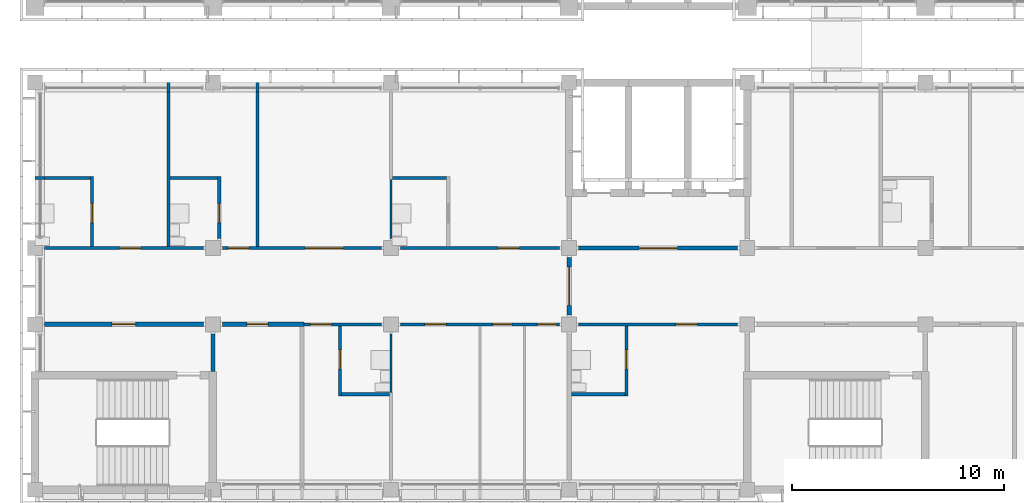
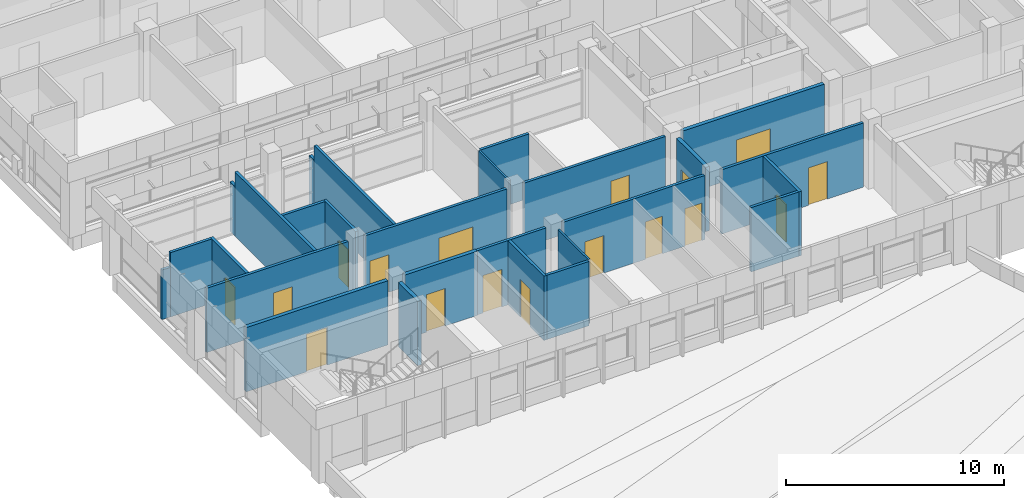
# One storey, part 30 of 74: 27 walls, 17 doors, 17 openings.
"""IFC4 building model written with IfcOpenShell, lengths in metres."""

from ifc_helpers import new_model, si_unit, direction, frame, frame_2d, origin, place, context, subcontext, project, spatial, rectangle, extrude, material, layer, layer_set, type_object, element, fill, save


model = new_model("IFC4")

# Units and contexts
model_context = context("Model", 3, precision=1e-05, world=origin(), true_north=direction((0.0, 1.0)))
body_context = subcontext(model_context, "Body", "Model", "MODEL_VIEW")
ifc_project = project(units=[si_unit("LENGTHUNIT", "METRE"), si_unit("AREAUNIT", "SQUARE_METRE"), si_unit("VOLUMEUNIT", "CUBIC_METRE"), si_unit("PLANEANGLEUNIT", "RADIAN"), si_unit("MASSUNIT", "GRAM", prefix="KILO")], contexts=[model_context])

# Site, building, storey
site_placement = place(None, origin())
site = spatial("IfcSite", under=ifc_project, at=site_placement, CompositionType="ELEMENT")
building_placement = place(site_placement, origin())
building = spatial("IfcBuilding", under=site, at=building_placement, Name="Bougainvillea Quay General Hospital", CompositionType="ELEMENT")
storey_placement = place(building_placement, frame((0.0, 0.0, 21.0)))
storey = spatial("IfcBuildingStorey", under=building, at=storey_placement, Name="L04", CompositionType="ELEMENT", Elevation=21.0)

# Walls
ifc_material_1 = material(Name="Gypsum board partition on steel studs", Category="steel")
ifc_layer_1 = layer(ifc_material_1, 0.10009765625)
ifc_layer_set_1 = layer_set([ifc_layer_1], Name="Gypsum board partition on steel studs")
wall_type_1 = type_object("IfcWallType", Name="Partition 100 Gypsum board partition", PredefinedType="PARTITIONING", material=ifc_layer_set_1)
wall_1_placement = place(storey_placement, frame((58.800048828125, 122.175048828125, 0.0), z_axis=(0.0, 0.0, 1.0), x_axis=(0.0, 1.0, 0.0)))
element("IfcWall", 1, at=wall_1_placement, inside=storey, type_object=wall_type_1, Name="Partition 100 mm", PredefinedType="PARTITIONING", context=body_context, shape_type="SweptSolid", body=[
    extrude(rectangle(XDim=2.77490234375, YDim=0.10009765625, at=frame_2d((1.387451171875, 0.0))), origin(), (0.0, 0.0, 1.0), 3.60009765625),
])
wall_2_placement = place(storey_placement, frame((58.800048828125, 129.449951171875, 0.0), z_axis=(0.0, 0.0, 1.0), x_axis=(0.0, 1.0, 0.0)))
element("IfcWall", 2, at=wall_2_placement, inside=storey, type_object=wall_type_1, Name="Partition 100 mm", PredefinedType="PARTITIONING", context=body_context, shape_type="SweptSolid", body=[
    extrude(rectangle(XDim=2.775146484375, YDim=0.10009765625, at=frame_2d((1.3876953125, 0.0))), origin(), (0.0, 0.0, 1.0), 3.60009765625),
])
ifc_material_2 = material(Name="Gypsum board partition on steel studs, insulated", Category="steel")
ifc_layer_2 = layer(ifc_material_2, 0.14990234375)
ifc_layer_set_2 = layer_set([ifc_layer_2], Name="Gypsum board partition on steel studs, insulated")
wall_type_2 = type_object("IfcWallType", Name="Partition 150 Gypsum board partition", PredefinedType="PARTITIONING", material=ifc_layer_set_2)
wall_3_placement = place(storey_placement, frame((48.300048828125, 129.074951171875, 0.0), z_axis=(0.0, 0.0, 1.0), x_axis=(0.0, 1.0, 0.0)))
element("IfcWall", 3, at=wall_3_placement, inside=storey, type_object=wall_type_2, Name="Partition 150 mm", PredefinedType="PARTITIONING", context=body_context, shape_type="SweptSolid", body=[
    extrude(rectangle(XDim=7.275146484375, YDim=0.14990234375, at=frame_2d((3.6376953125, 0.0))), origin(), (0.0, 0.0, 1.0), 3.60009765625),
])
wall_4_placement = place(storey_placement, frame((48.300048828125, 136.35009765625, 0.0), z_axis=(0.0, 0.0, 1.0), x_axis=(0.0, 1.0, 0.0)))
element("IfcWall", 4, at=wall_4_placement, inside=storey, type_object=wall_type_2, Name="Partition 150 mm", PredefinedType="PARTITIONING", context=body_context, shape_type="SweptSolid", body=[
    extrude(rectangle(XDim=0.449951171875, YDim=0.14990234375, at=frame_2d((0.22509765625, 0.0))), origin(), (0.0, 0.0, 1.0), 2.780029296875),
])
wall_5_placement = place(storey_placement, frame((52.5, 129.074951171875, 0.0), z_axis=(0.0, 0.0, 1.0), x_axis=(0.0, 1.0, 0.0)))
element("IfcWall", 5, at=wall_5_placement, inside=storey, type_object=wall_type_2, Name="Partition 150 mm", PredefinedType="PARTITIONING", context=body_context, shape_type="SweptSolid", body=[
    extrude(rectangle(XDim=7.275146484375, YDim=0.14990234375, at=frame_2d((3.6376953125, 0.0))), origin(), (0.0, 0.0, 1.0), 3.60009765625),
])
wall_6_placement = place(storey_placement, frame((52.5, 136.35009765625, 0.0), z_axis=(0.0, 0.0, 1.0), x_axis=(0.0, 1.0, 0.0)))
element("IfcWall", 6, at=wall_6_placement, inside=storey, type_object=wall_type_2, Name="Partition 150 mm", PredefinedType="PARTITIONING", context=body_context, shape_type="SweptSolid", body=[
    extrude(rectangle(XDim=0.449951171875, YDim=0.14990234375, at=frame_2d((0.22509765625, 0.0))), origin(), (0.0, 0.0, 1.0), 2.780029296875),
])

# Wall, opening, door
wall_7_placement = place(storey_placement, frame((44.699951171875, 129.074951171875, 0.0), z_axis=(0.0, 0.0, 1.0), x_axis=(0.0, 1.0, 0.0)))
wall_7 = element("IfcWall", 7, at=wall_7_placement, inside=storey, type_object=wall_type_2, Name="Partition 150 mm", PredefinedType="PARTITIONING", context=body_context, shape_type="SweptSolid", body=[
    extrude(rectangle(XDim=3.300048828125, YDim=0.14990234375, at=frame_2d((1.64990234375, 0.0))), origin(), (0.0, 0.0, 1.0), 3.60009765625),
])
opening_1_placement = place(wall_7_placement, frame((1.125, 0.0, 0.0)))
opening_1 = element("IfcOpeningElement", 8, at=opening_1_placement, cuts=wall_7, Name="Opening L04.079", PredefinedType="OPENING", context=body_context, shape_type="SweptSolid", body=[
    extrude(rectangle(XDim=0.89990234375, YDim=2.10009765625, at=frame_2d((0.449951171875, 1.050048828125))), frame((0.0, 0.0849609375, 0.0), z_axis=(0.0, -1.0, 0.0), x_axis=(1.0, 0.0, 0.0)), (0.0, 0.0, 1.0), 0.169921875),
])
ifc_material_3 = material(Name="Solid-core timber door leaf in steel frame", Category="steel")
door_type_1 = type_object("IfcDoorType", Name="Single leaf door 900x2100", OperationType="NOTDEFINED", PredefinedType="DOOR", material=ifc_material_3)
door_1_placement = place(opening_1_placement, origin())
door_1 = element("IfcDoor", 9, at=door_1_placement, inside=storey, type_object=door_type_1, Name="DT07 L04.079", OperationType="SINGLE_SWING_LEFT", OverallHeight=2.10009765625, OverallWidth=0.89990234375, PredefinedType="DOOR", context=body_context, shape_type="SweptSolid", body=[
    extrude(rectangle(XDim=0.89990234375, YDim=2.10009765625, at=frame_2d((0.449951171875, 1.050048828125))), frame((0.0, 0.02490234375, 0.0), z_axis=(0.0, -1.0, 0.0), x_axis=(1.0, 0.0, 0.0)), (0.0, 0.0, 1.0), 0.050048828125),
])
fill(opening_1, door_1)

wall_8_placement = place(storey_placement, frame((50.699951171875, 129.449951171875, 0.0), z_axis=(0.0, 0.0, 1.0), x_axis=(0.0, 1.0, 0.0)))
wall_8 = element("IfcWall", 10, at=wall_8_placement, inside=storey, type_object=wall_type_2, Name="Partition 150 mm", PredefinedType="PARTITIONING", context=body_context, shape_type="SweptSolid", body=[
    extrude(rectangle(XDim=2.925048828125, YDim=0.14990234375, at=frame_2d((1.46240234375, 0.0))), origin(), (0.0, 0.0, 1.0), 3.60009765625),
])
opening_2_placement = place(wall_8_placement, frame((0.75, 0.0, 0.0)))
opening_2 = element("IfcOpeningElement", 11, at=opening_2_placement, cuts=wall_8, Name="Opening L04.081", PredefinedType="OPENING", context=body_context, shape_type="SweptSolid", body=[
    extrude(rectangle(XDim=0.89990234375, YDim=2.10009765625, at=frame_2d((0.449951171875, 1.050048828125))), frame((0.0, 0.0849609375, 0.0), z_axis=(0.0, -1.0, 0.0), x_axis=(1.0, 0.0, 0.0)), (0.0, 0.0, 1.0), 0.169921875),
])
door_2_placement = place(opening_2_placement, origin())
door_2 = element("IfcDoor", 12, at=door_2_placement, inside=storey, type_object=door_type_1, Name="DT07 L04.081", OperationType="SINGLE_SWING_LEFT", OverallHeight=2.10009765625, OverallWidth=0.89990234375, PredefinedType="DOOR", context=body_context, shape_type="SweptSolid", body=[
    extrude(rectangle(XDim=0.89990234375, YDim=2.10009765625, at=frame_2d((0.449951171875, 1.050048828125))), frame((0.0, 0.02490234375, 0.0), z_axis=(0.0, -1.0, 0.0), x_axis=(1.0, 0.0, 0.0)), (0.0, 0.0, 1.0), 0.050048828125),
])
fill(opening_2, door_2)

wall_9_placement = place(storey_placement, frame((56.39990234375, 122.02490234375, 0.0), z_axis=(0.0, 0.0, 1.0), x_axis=(0.0, 1.0, 0.0)))
wall_9 = element("IfcWall", 13, at=wall_9_placement, inside=storey, type_object=wall_type_2, Name="Partition 150 mm", PredefinedType="PARTITIONING", context=body_context, shape_type="SweptSolid", body=[
    extrude(rectangle(XDim=3.300048828125, YDim=0.14990234375, at=frame_2d((1.64990234375, 0.0))), origin(), (0.0, 0.0, 1.0), 3.60009765625),
])
opening_3_placement = place(wall_9_placement, frame((1.27490234375, 0.0, 0.0)))
opening_3 = element("IfcOpeningElement", 14, at=opening_3_placement, cuts=wall_9, Name="Opening L04.086", PredefinedType="OPENING", context=body_context, shape_type="SweptSolid", body=[
    extrude(rectangle(XDim=0.89990234375, YDim=2.10009765625, at=frame_2d((0.449951171875, 1.050048828125))), frame((0.0, 0.0849609375, 0.0), z_axis=(0.0, -1.0, 0.0), x_axis=(1.0, 0.0, 0.0)), (0.0, 0.0, 1.0), 0.169921875),
])
door_3_placement = place(opening_3_placement, frame((0.89990234375, 0.0, 0.0), z_axis=(0.0, 0.0, 1.0), x_axis=(-1.0, 0.0, 0.0)))
door_3 = element("IfcDoor", 15, at=door_3_placement, inside=storey, type_object=door_type_1, Name="DT07 L04.086", OperationType="SINGLE_SWING_LEFT", OverallHeight=2.10009765625, OverallWidth=0.89990234375, PredefinedType="DOOR", context=body_context, shape_type="SweptSolid", body=[
    extrude(rectangle(XDim=0.89990234375, YDim=2.10009765625, at=frame_2d((0.449951171875, 1.050048828125))), frame((0.0, 0.02490234375, 0.0), z_axis=(0.0, -1.0, 0.0), x_axis=(1.0, 0.0, 0.0)), (0.0, 0.0, 1.0), 0.050048828125),
])
fill(opening_3, door_3)

wall_10_placement = place(storey_placement, frame((69.89990234375, 122.02490234375, 0.0), z_axis=(0.0, 0.0, 1.0), x_axis=(0.0, 1.0, 0.0)))
wall_10 = element("IfcWall", 16, at=wall_10_placement, inside=storey, type_object=wall_type_2, Name="Partition 150 mm", PredefinedType="PARTITIONING", context=body_context, shape_type="SweptSolid", body=[
    extrude(rectangle(XDim=3.300048828125, YDim=0.14990234375, at=frame_2d((1.64990234375, 0.0))), origin(), (0.0, 0.0, 1.0), 3.60009765625),
])
opening_4_placement = place(wall_10_placement, frame((1.27490234375, 0.0, 0.0)))
opening_4 = element("IfcOpeningElement", 17, at=opening_4_placement, cuts=wall_10, Name="Opening L04.091", PredefinedType="OPENING", context=body_context, shape_type="SweptSolid", body=[
    extrude(rectangle(XDim=0.89990234375, YDim=2.10009765625, at=frame_2d((0.449951171875, 1.050048828125))), frame((0.0, 0.0849609375, 0.0), z_axis=(0.0, -1.0, 0.0), x_axis=(1.0, 0.0, 0.0)), (0.0, 0.0, 1.0), 0.169921875),
])
door_4_placement = place(opening_4_placement, origin())
door_4 = element("IfcDoor", 18, at=door_4_placement, inside=storey, type_object=door_type_1, Name="DT07 L04.091", OperationType="SINGLE_SWING_RIGHT", OverallHeight=2.10009765625, OverallWidth=0.89990234375, PredefinedType="DOOR", context=body_context, shape_type="SweptSolid", body=[
    extrude(rectangle(XDim=0.89990234375, YDim=2.10009765625, at=frame_2d((0.449951171875, 1.050048828125))), frame((0.0, 0.02490234375, 0.0), z_axis=(0.0, -1.0, 0.0), x_axis=(1.0, 0.0, 0.0)), (0.0, 0.0, 1.0), 0.050048828125),
])
fill(opening_4, door_4)

# Walls
wall_11_placement = place(storey_placement, frame((42.0, 132.300048828125, 0.0), z_axis=(0.0, 0.0, 1.0), x_axis=(1.0, 0.0, 0.0)))
element("IfcWall", 19, at=wall_11_placement, inside=storey, type_object=wall_type_2, Name="Partition 150 mm", PredefinedType="PARTITIONING", context=body_context, shape_type="SweptSolid", body=[
    extrude(rectangle(XDim=0.449951171875, YDim=0.14990234375, at=frame_2d((0.22509765625, 0.0))), origin(), (0.0, 0.0, 1.0), 2.780029296875),
])
wall_12_placement = place(storey_placement, frame((42.449951171875, 132.300048828125, 0.0), z_axis=(0.0, 0.0, 1.0), x_axis=(1.0, 0.0, 0.0)))
element("IfcWall", 20, at=wall_12_placement, inside=storey, type_object=wall_type_2, Name="Partition 150 mm", PredefinedType="PARTITIONING", context=body_context, shape_type="SweptSolid", body=[
    extrude(rectangle(XDim=2.175048828125, YDim=0.14990234375, at=frame_2d((1.08740234375, 0.0))), origin(), (0.0, 0.0, 1.0), 3.60009765625),
])
wall_13_placement = place(storey_placement, frame((58.875, 132.300048828125, 0.0), z_axis=(0.0, 0.0, 1.0), x_axis=(1.0, 0.0, 0.0)))
element("IfcWall", 21, at=wall_13_placement, inside=storey, type_object=wall_type_2, Name="Partition 150 mm", PredefinedType="PARTITIONING", context=body_context, shape_type="SweptSolid", body=[
    extrude(rectangle(XDim=2.550048828125, YDim=0.14990234375, at=frame_2d((1.27490234375, 0.0))), origin(), (0.0, 0.0, 1.0), 3.60009765625),
])
wall_14_placement = place(storey_placement, frame((67.300048828125, 122.10009765625, 0.0), z_axis=(0.0, 0.0, 1.0), x_axis=(1.0, 0.0, 0.0)))
element("IfcWall", 22, at=wall_14_placement, inside=storey, type_object=wall_type_2, Name="Partition 150 mm", PredefinedType="PARTITIONING", context=body_context, shape_type="SweptSolid", body=[
    extrude(rectangle(XDim=2.52490234375, YDim=0.14990234375, at=frame_2d((1.262451171875, 0.0))), origin(), (0.0, 0.0, 1.0), 3.60009765625),
])
for number, where, z_axis, x_axis, name in (
    (23, (48.375, 132.300048828125, 0.0), (0.0, 0.0, 1.0), (1.0, 0.0, 0.0), "Partition 150 mm"),
    (24, (56.47509765625, 122.10009765625, 0.0), (0.0, 0.0, 1.0), (1.0, 0.0, 0.0), "Partition 150 mm"),
):
    element("IfcWall", number, at=place(storey_placement, frame(where, z_axis=z_axis, x_axis=x_axis)), inside=storey, type_object=wall_type_2, Name=name, PredefinedType="PARTITIONING", context=body_context, shape_type="SweptSolid", body=[
        extrude(rectangle(XDim=2.25, YDim=0.14990234375, at=frame_2d((1.125, 0.0))), origin(), (0.0, 0.0, 1.0), 3.60009765625),
    ])

# Wall, opening, door
ifc_layer_3 = layer(ifc_material_2, 0.14990234375)
ifc_layer_set_3 = layer_set([ifc_layer_3], Name="Gypsum board partition on steel studs, insulated")
wall_type_3 = type_object("IfcWallType", Name="Partition 150 Gypsum board partition EI 30", PredefinedType="PARTITIONING", material=ifc_layer_set_3)
wall_15_placement = place(storey_placement, frame((66.75, 129.0, 0.0), z_axis=(0.0, 0.0, 1.0), x_axis=(-1.0, 0.0, 0.0)))
wall_15 = element("IfcWall", 25, at=wall_15_placement, inside=storey, type_object=wall_type_3, Name="Partition 150 mm EI 30", PredefinedType="PARTITIONING", context=body_context, shape_type="SweptSolid", body=[
    extrude(rectangle(XDim=7.5, YDim=0.14990234375, at=frame_2d((3.75, 0.0))), origin(), (0.0, 0.0, 1.0), 3.60009765625),
])
opening_5_placement = place(wall_15_placement, frame((1.89990234375, 0.0, 0.0)))
opening_5 = element("IfcOpeningElement", 26, at=opening_5_placement, cuts=wall_15, Name="Opening L04.083", PredefinedType="OPENING", context=body_context, shape_type="SweptSolid", body=[
    extrude(rectangle(XDim=1.0, YDim=2.10009765625, at=frame_2d((0.5, 1.050048828125))), frame((0.0, 0.0849609375, 0.0), z_axis=(0.0, -1.0, 0.0), x_axis=(1.0, 0.0, 0.0)), (0.0, 0.0, 1.0), 0.169921875),
])
door_type_2 = type_object("IfcDoorType", Name="Single leaf door 1000x2100 FD30S", OperationType="NOTDEFINED", PredefinedType="DOOR", material=ifc_material_3)
door_5_placement = place(opening_5_placement, frame((1.0, 0.0, 0.0), z_axis=(0.0, 0.0, 1.0), x_axis=(-1.0, 0.0, 0.0)))
door_5 = element("IfcDoor", 27, at=door_5_placement, inside=storey, type_object=door_type_2, Name="DT15 L04.083", OperationType="SINGLE_SWING_RIGHT", OverallHeight=2.10009765625, OverallWidth=1.0, PredefinedType="DOOR", context=body_context, shape_type="SweptSolid", body=[
    extrude(rectangle(XDim=1.0, YDim=2.10009765625, at=frame_2d((0.5, 1.050048828125))), frame((0.0, 0.02490234375, 0.0), z_axis=(0.0, -1.0, 0.0), x_axis=(1.0, 0.0, 0.0)), (0.0, 0.0, 1.0), 0.050048828125),
])
fill(opening_5, door_5)

# Wall, openings, doors
wall_16_placement = place(storey_placement, frame((58.35009765625, 129.0, 0.0), z_axis=(0.0, 0.0, 1.0), x_axis=(-1.0, 0.0, 0.0)))
wall_16 = element("IfcWall", 28, at=wall_16_placement, inside=storey, type_object=wall_type_3, Name="Partition 150 mm EI 30", PredefinedType="PARTITIONING", context=body_context, shape_type="SweptSolid", body=[
    extrude(rectangle(XDim=7.5, YDim=0.14990234375, at=frame_2d((3.75, 0.0))), origin(), (0.0, 0.0, 1.0), 3.60009765625),
])
opening_6_placement = place(wall_16_placement, frame((6.25, 0.0, 0.0)))
opening_6 = element("IfcOpeningElement", 29, at=opening_6_placement, cuts=wall_16, Name="Opening L04.080", PredefinedType="OPENING", context=body_context, shape_type="SweptSolid", body=[
    extrude(rectangle(XDim=1.0, YDim=2.10009765625, at=frame_2d((0.5, 1.050048828125))), frame((0.0, 0.0849609375, 0.0), z_axis=(0.0, -1.0, 0.0), x_axis=(1.0, 0.0, 0.0)), (0.0, 0.0, 1.0), 0.169921875),
])
opening_7_placement = place(wall_16_placement, frame((1.800048828125, 0.0, 0.0)))
opening_7 = element("IfcOpeningElement", 30, at=opening_7_placement, cuts=wall_16, Name="Opening L04.082", PredefinedType="OPENING", context=body_context, shape_type="SweptSolid", body=[
    extrude(rectangle(XDim=1.800048828125, YDim=2.10009765625, at=frame_2d((0.89990234375, 1.050048828125))), frame((0.0, 0.0849609375, 0.0), z_axis=(0.0, -1.0, 0.0), x_axis=(1.0, 0.0, 0.0)), (0.0, 0.0, 1.0), 0.169921875),
])
ifc_material_4 = material(Name="Solid-core timber door leaves in steel frame", Category="steel")
door_type_3 = type_object("IfcDoorType", Name="Double leaf door 1800x2100 FD30S", OperationType="DOUBLE_DOOR_SINGLE_SWING", PredefinedType="DOOR", material=ifc_material_4)
door_6_placement = place(opening_7_placement, frame((1.800048828125, 0.0, 0.0), z_axis=(0.0, 0.0, 1.0), x_axis=(-1.0, 0.0, 0.0)))
door_6 = element("IfcDoor", 31, at=door_6_placement, inside=storey, type_object=door_type_3, Name="DT17 L04.082", OperationType="DOUBLE_DOOR_SINGLE_SWING", OverallHeight=2.10009765625, OverallWidth=1.800048828125, PredefinedType="DOOR", context=body_context, shape_type="SweptSolid", body=[
    extrude(rectangle(XDim=1.800048828125, YDim=2.10009765625, at=frame_2d((0.89990234375, 1.050048828125))), frame((0.0, 0.02490234375, 0.0), z_axis=(0.0, -1.0, 0.0), x_axis=(1.0, 0.0, 0.0)), (0.0, 0.0, 1.0), 0.050048828125),
])
fill(opening_7, door_6)
door_7_placement = place(opening_6_placement, frame((1.0, 0.0, 0.0), z_axis=(0.0, 0.0, 1.0), x_axis=(-1.0, 0.0, 0.0)))
door_7 = element("IfcDoor", 32, at=door_7_placement, inside=storey, type_object=door_type_2, Name="DT15 L04.080", OperationType="SINGLE_SWING_LEFT", OverallHeight=2.10009765625, OverallWidth=1.0, PredefinedType="DOOR", context=body_context, shape_type="SweptSolid", body=[
    extrude(rectangle(XDim=1.0, YDim=2.10009765625, at=frame_2d((0.5, 1.050048828125))), frame((0.0, 0.02490234375, 0.0), z_axis=(0.0, -1.0, 0.0), x_axis=(1.0, 0.0, 0.0)), (0.0, 0.0, 1.0), 0.050048828125),
])
fill(opening_6, door_7)

# Wall, opening, door
wall_17_placement = place(storey_placement, frame((49.949951171875, 129.0, 0.0), z_axis=(0.0, 0.0, 1.0), x_axis=(-1.0, 0.0, 0.0)))
wall_17 = element("IfcWall", 33, at=wall_17_placement, inside=storey, type_object=wall_type_3, Name="Partition 150 mm EI 30", PredefinedType="PARTITIONING", context=body_context, shape_type="SweptSolid", body=[
    extrude(rectangle(XDim=7.5, YDim=0.14990234375, at=frame_2d((3.75, 0.0))), origin(), (0.0, 0.0, 1.0), 3.60009765625),
])
opening_8_placement = place(wall_17_placement, frame((2.949951171875, 0.0, 0.0)))
opening_8 = element("IfcOpeningElement", 34, at=opening_8_placement, cuts=wall_17, Name="Opening L04.078", PredefinedType="OPENING", context=body_context, shape_type="SweptSolid", body=[
    extrude(rectangle(XDim=1.0, YDim=2.10009765625, at=frame_2d((0.5, 1.050048828125))), frame((0.0, 0.0849609375, 0.0), z_axis=(0.0, -1.0, 0.0), x_axis=(1.0, 0.0, 0.0)), (0.0, 0.0, 1.0), 0.169921875),
])
door_8_placement = place(opening_8_placement, frame((1.0, 0.0, 0.0), z_axis=(0.0, 0.0, 1.0), x_axis=(-1.0, 0.0, 0.0)))
door_8 = element("IfcDoor", 35, at=door_8_placement, inside=storey, type_object=door_type_2, Name="DT15 L04.078", OperationType="SINGLE_SWING_RIGHT", OverallHeight=2.10009765625, OverallWidth=1.0, PredefinedType="DOOR", context=body_context, shape_type="SweptSolid", body=[
    extrude(rectangle(XDim=1.0, YDim=2.10009765625, at=frame_2d((0.5, 1.050048828125))), frame((0.0, 0.02490234375, 0.0), z_axis=(0.0, -1.0, 0.0), x_axis=(1.0, 0.0, 0.0)), (0.0, 0.0, 1.0), 0.050048828125),
])
fill(opening_8, door_8)

wall_18_placement = place(storey_placement, frame((67.64990234375, 125.39990234375, 0.0), z_axis=(0.0, 0.0, 1.0), x_axis=(1.0, 0.0, 0.0)))
wall_18 = element("IfcWall", 36, at=wall_18_placement, inside=storey, type_object=wall_type_3, Name="Partition 150 mm EI 30", PredefinedType="PARTITIONING", context=body_context, shape_type="SweptSolid", body=[
    extrude(rectangle(XDim=7.5, YDim=0.14990234375, at=frame_2d((3.75, 0.0))), origin(), (0.0, 0.0, 1.0), 3.60009765625),
])
opening_9_placement = place(wall_18_placement, frame((4.60009765625, 0.0, 0.0)))
opening_9 = element("IfcOpeningElement", 37, at=opening_9_placement, cuts=wall_18, Name="Opening L04.090", PredefinedType="OPENING", context=body_context, shape_type="SweptSolid", body=[
    extrude(rectangle(XDim=1.0, YDim=2.10009765625, at=frame_2d((0.5, 1.050048828125))), frame((0.0, 0.0849609375, 0.0), z_axis=(0.0, -1.0, 0.0), x_axis=(1.0, 0.0, 0.0)), (0.0, 0.0, 1.0), 0.169921875),
])
door_9_placement = place(opening_9_placement, frame((1.0, 0.0, 0.0), z_axis=(0.0, 0.0, 1.0), x_axis=(-1.0, 0.0, 0.0)))
door_9 = element("IfcDoor", 38, at=door_9_placement, inside=storey, type_object=door_type_2, Name="DT15 L04.090", OperationType="SINGLE_SWING_LEFT", OverallHeight=2.10009765625, OverallWidth=1.0, PredefinedType="DOOR", context=body_context, shape_type="SweptSolid", body=[
    extrude(rectangle(XDim=1.0, YDim=2.10009765625, at=frame_2d((0.5, 1.050048828125))), frame((0.0, 0.02490234375, 0.0), z_axis=(0.0, -1.0, 0.0), x_axis=(1.0, 0.0, 0.0)), (0.0, 0.0, 1.0), 0.050048828125),
])
fill(opening_9, door_9)

wall_19_placement = place(storey_placement, frame((54.699951171875, 125.39990234375, 0.0), z_axis=(0.0, 0.0, 1.0), x_axis=(1.0, 0.0, 0.0)))
wall_19 = element("IfcWall", 39, at=wall_19_placement, inside=storey, type_object=wall_type_3, Name="Partition 150 mm EI 30", PredefinedType="PARTITIONING", context=body_context, shape_type="SweptSolid", body=[
    extrude(rectangle(XDim=3.650146484375, YDim=0.14990234375, at=frame_2d((1.8251953125, 0.0))), origin(), (0.0, 0.0, 1.0), 3.60009765625),
])
opening_10_placement = place(wall_19_placement, frame((0.300048828125, 0.0, 0.0)))
opening_10 = element("IfcOpeningElement", 40, at=opening_10_placement, cuts=wall_19, Name="Opening L04.085", PredefinedType="OPENING", context=body_context, shape_type="SweptSolid", body=[
    extrude(rectangle(XDim=1.0, YDim=2.10009765625, at=frame_2d((0.5, 1.050048828125))), frame((0.0, 0.0849609375, 0.0), z_axis=(0.0, -1.0, 0.0), x_axis=(1.0, 0.0, 0.0)), (0.0, 0.0, 1.0), 0.169921875),
])
door_10_placement = place(opening_10_placement, frame((1.0, 0.0, 0.0), z_axis=(0.0, 0.0, 1.0), x_axis=(-1.0, 0.0, 0.0)))
door_10 = element("IfcDoor", 41, at=door_10_placement, inside=storey, type_object=door_type_2, Name="DT15 L04.085", OperationType="SINGLE_SWING_RIGHT", OverallHeight=2.10009765625, OverallWidth=1.0, PredefinedType="DOOR", context=body_context, shape_type="SweptSolid", body=[
    extrude(rectangle(XDim=1.0, YDim=2.10009765625, at=frame_2d((0.5, 1.050048828125))), frame((0.0, 0.02490234375, 0.0), z_axis=(0.0, -1.0, 0.0), x_axis=(1.0, 0.0, 0.0)), (0.0, 0.0, 1.0), 0.050048828125),
])
fill(opening_10, door_10)

# Wall, openings, doors
ifc_layer_4 = layer(ifc_material_2, 0.14990234375)
ifc_layer_set_4 = layer_set([ifc_layer_4], Name="Gypsum board partition on steel studs, insulated")
wall_type_4 = type_object("IfcWallType", Name="Partition 150 Gypsum board partition EI 60", PredefinedType="PARTITIONING", material=ifc_layer_set_4)
wall_20_placement = place(storey_placement, frame((66.75, 125.39990234375, 0.0), z_axis=(0.0, 0.0, 1.0), x_axis=(-1.0, 0.0, 0.0)))
wall_20 = element("IfcWall", 42, at=wall_20_placement, inside=storey, type_object=wall_type_4, Name="Partition 150 mm EI 60", PredefinedType="PARTITIONING", context=body_context, shape_type="SweptSolid", body=[
    extrude(rectangle(XDim=7.5, YDim=0.14990234375, at=frame_2d((3.75, 0.0))), origin(), (0.0, 0.0, 1.0), 3.60009765625),
])
opening_11_placement = place(wall_20_placement, frame((5.35009765625, 0.0, 0.0)))
opening_11 = element("IfcOpeningElement", 43, at=opening_11_placement, cuts=wall_20, Name="Opening L04.087", PredefinedType="OPENING", context=body_context, shape_type="SweptSolid", body=[
    extrude(rectangle(XDim=1.0, YDim=2.10009765625, at=frame_2d((0.5, 1.050048828125))), frame((0.0, 0.0849609375, 0.0), z_axis=(0.0, -1.0, 0.0), x_axis=(1.0, 0.0, 0.0)), (0.0, 0.0, 1.0), 0.169921875),
])
opening_12_placement = place(wall_20_placement, frame((2.25, 0.0, 0.0)))
opening_12 = element("IfcOpeningElement", 44, at=opening_12_placement, cuts=wall_20, Name="Opening L04.088", PredefinedType="OPENING", context=body_context, shape_type="SweptSolid", body=[
    extrude(rectangle(XDim=0.89990234375, YDim=2.10009765625, at=frame_2d((0.449951171875, 1.050048828125))), frame((0.0, 0.0849609375, 0.0), z_axis=(0.0, -1.0, 0.0), x_axis=(1.0, 0.0, 0.0)), (0.0, 0.0, 1.0), 0.169921875),
])
opening_13_placement = place(wall_20_placement, frame((0.14990234375, 0.0, 0.0)))
opening_13 = element("IfcOpeningElement", 45, at=opening_13_placement, cuts=wall_20, Name="Opening L04.089", PredefinedType="OPENING", context=body_context, shape_type="SweptSolid", body=[
    extrude(rectangle(XDim=0.89990234375, YDim=2.10009765625, at=frame_2d((0.449951171875, 1.050048828125))), frame((0.0, 0.0849609375, 0.0), z_axis=(0.0, -1.0, 0.0), x_axis=(1.0, 0.0, 0.0)), (0.0, 0.0, 1.0), 0.169921875),
])
door_type_4 = type_object("IfcDoorType", Name="Single leaf door 1000x2100 FD60", OperationType="NOTDEFINED", PredefinedType="DOOR", material=ifc_material_3)
door_11_placement = place(opening_11_placement, origin())
door_11 = element("IfcDoor", 46, at=door_11_placement, inside=storey, type_object=door_type_4, Name="DT14 L04.087", OperationType="SINGLE_SWING_RIGHT", OverallHeight=2.10009765625, OverallWidth=1.0, PredefinedType="DOOR", context=body_context, shape_type="SweptSolid", body=[
    extrude(rectangle(XDim=1.0, YDim=2.10009765625, at=frame_2d((0.5, 1.050048828125))), frame((0.0, 0.02490234375, 0.0), z_axis=(0.0, -1.0, 0.0), x_axis=(1.0, 0.0, 0.0)), (0.0, 0.0, 1.0), 0.050048828125),
])
fill(opening_11, door_11)
door_type_5 = type_object("IfcDoorType", Name="Single leaf door 900x2100 FD60", OperationType="NOTDEFINED", PredefinedType="DOOR", material=ifc_material_3)
door_12_placement = place(opening_12_placement, origin())
door_12 = element("IfcDoor", 47, at=door_12_placement, inside=storey, type_object=door_type_5, Name="DT18 L04.088", OperationType="SINGLE_SWING_LEFT", OverallHeight=2.10009765625, OverallWidth=0.89990234375, PredefinedType="DOOR", context=body_context, shape_type="SweptSolid", body=[
    extrude(rectangle(XDim=0.89990234375, YDim=2.10009765625, at=frame_2d((0.449951171875, 1.050048828125))), frame((0.0, 0.02490234375, 0.0), z_axis=(0.0, -1.0, 0.0), x_axis=(1.0, 0.0, 0.0)), (0.0, 0.0, 1.0), 0.050048828125),
])
fill(opening_12, door_12)
door_13_placement = place(opening_13_placement, origin())
door_13 = element("IfcDoor", 48, at=door_13_placement, inside=storey, type_object=door_type_5, Name="DT18 L04.089", OperationType="SINGLE_SWING_LEFT", OverallHeight=2.10009765625, OverallWidth=0.89990234375, PredefinedType="DOOR", context=body_context, shape_type="SweptSolid", body=[
    extrude(rectangle(XDim=0.89990234375, YDim=2.10009765625, at=frame_2d((0.449951171875, 1.050048828125))), frame((0.0, 0.02490234375, 0.0), z_axis=(0.0, -1.0, 0.0), x_axis=(1.0, 0.0, 0.0)), (0.0, 0.0, 1.0), 0.050048828125),
])
fill(opening_13, door_13)

# Wall, opening, door
ifc_material_5 = material(Name="Fire-rated autoclaved aerated block wall, plastered")
ifc_layer_5 = layer(ifc_material_5, 0.199951171875)
ifc_layer_set_5 = layer_set([ifc_layer_5], Name="Fire-rated autoclaved aerated block wall, plastered")
wall_type_5 = type_object("IfcWallType", Name="Partition 200 Fire-rated autoclaved aerated block wall EI 120", PredefinedType="SOLIDWALL", material=ifc_layer_set_5)
wall_21_placement = place(storey_placement, frame((67.199951171875, 128.550048828125, 0.0), z_axis=(0.0, 0.0, 1.0), x_axis=(0.0, -1.0, 0.0)))
wall_21 = element("IfcWall", 49, at=wall_21_placement, inside=storey, type_object=wall_type_5, Name="Partition 200 mm EI 120", PredefinedType="SOLIDWALL", context=body_context, shape_type="SweptSolid", body=[
    extrude(rectangle(XDim=2.699951171875, YDim=0.199951171875, at=frame_2d((1.35009765625, 0.0))), origin(), (0.0, 0.0, 1.0), 3.60009765625),
])
opening_14_placement = place(wall_21_placement, frame((0.449951171875, 0.0, 0.0)))
opening_14 = element("IfcOpeningElement", 50, at=opening_14_placement, cuts=wall_21, Name="Opening L04.075", PredefinedType="OPENING", context=body_context, shape_type="SweptSolid", body=[
    extrude(rectangle(XDim=1.800048828125, YDim=2.10009765625, at=frame_2d((0.89990234375, 1.050048828125))), frame((0.0, 0.10986328125, 0.0), z_axis=(0.0, -1.0, 0.0), x_axis=(1.0, 0.0, 0.0)), (0.0, 0.0, 1.0), 0.219970703125),
])
ifc_material_6 = material(Name="Steel fire door leaves in steel frame", Category="steel")
door_type_6 = type_object("IfcDoorType", Name="Steel double leaf door 1800x2100 FD90", OperationType="DOUBLE_DOOR_SINGLE_SWING", PredefinedType="DOOR", material=ifc_material_6)
door_14_placement = place(opening_14_placement, origin())
door_14 = element("IfcDoor", 51, at=door_14_placement, inside=storey, type_object=door_type_6, Name="DT03 L04.075", OperationType="DOUBLE_DOOR_SINGLE_SWING", OverallHeight=2.10009765625, OverallWidth=1.800048828125, PredefinedType="DOOR", context=body_context, shape_type="SweptSolid", body=[
    extrude(rectangle(XDim=1.800048828125, YDim=2.10009765625, at=frame_2d((0.89990234375, 1.050048828125))), frame((0.0, 0.02490234375, 0.0), z_axis=(0.0, -1.0, 0.0), x_axis=(1.0, 0.0, 0.0)), (0.0, 0.0, 1.0), 0.050048828125),
])
fill(opening_14, door_14)

wall_22_placement = place(storey_placement, frame((42.449951171875, 125.39990234375, 0.0), z_axis=(0.0, 0.0, 1.0), x_axis=(1.0, 0.0, 0.0)))
wall_22 = element("IfcWall", 52, at=wall_22_placement, inside=storey, type_object=wall_type_5, Name="Partition 200 mm EI 120", PredefinedType="SOLIDWALL", context=body_context, shape_type="SweptSolid", body=[
    extrude(rectangle(XDim=7.5, YDim=0.199951171875, at=frame_2d((3.75, 0.0))), origin(), (0.0, 0.0, 1.0), 3.60009765625),
])
opening_15_placement = place(wall_22_placement, frame((3.199951171875, 0.0, 0.0)))
opening_15 = element("IfcOpeningElement", 53, at=opening_15_placement, cuts=wall_22, Name="Opening L04.150", PredefinedType="OPENING", context=body_context, shape_type="SweptSolid", body=[
    extrude(rectangle(XDim=1.10009765625, YDim=2.10009765625, at=frame_2d((0.550048828125, 1.050048828125))), frame((0.0, 0.10986328125, 0.0), z_axis=(0.0, -1.0, 0.0), x_axis=(1.0, 0.0, 0.0)), (0.0, 0.0, 1.0), 0.219970703125),
])
ifc_material_7 = material(Name="Steel fire door leaf in steel frame", Category="steel")
door_type_7 = type_object("IfcDoorType", Name="Steel single leaf door 1100x2100 FD60", OperationType="NOTDEFINED", PredefinedType="DOOR", material=ifc_material_7)
door_15_placement = place(opening_15_placement, frame((1.10009765625, 0.0, 0.0), z_axis=(0.0, 0.0, 1.0), x_axis=(-1.0, 0.0, 0.0)))
door_15 = element("IfcDoor", 54, at=door_15_placement, inside=storey, type_object=door_type_7, Name="DT04 L04.150", OperationType="SINGLE_SWING_LEFT", OverallHeight=2.10009765625, OverallWidth=1.10009765625, PredefinedType="DOOR", context=body_context, shape_type="SweptSolid", body=[
    extrude(rectangle(XDim=1.10009765625, YDim=2.10009765625, at=frame_2d((0.550048828125, 1.050048828125))), frame((0.0, 0.02490234375, 0.0), z_axis=(0.0, -1.0, 0.0), x_axis=(1.0, 0.0, 0.0)), (0.0, 0.0, 1.0), 0.050048828125),
])
fill(opening_15, door_15)

wall_23_placement = place(storey_placement, frame((50.85009765625, 125.39990234375, 0.0), z_axis=(0.0, 0.0, 1.0), x_axis=(1.0, 0.0, 0.0)))
wall_23 = element("IfcWall", 55, at=wall_23_placement, inside=storey, type_object=wall_type_5, Name="Partition 200 mm EI 120", PredefinedType="SOLIDWALL", context=body_context, shape_type="SweptSolid", body=[
    extrude(rectangle(XDim=3.849853515625, YDim=0.199951171875, at=frame_2d((1.9248046875, 0.0))), origin(), (0.0, 0.0, 1.0), 3.60009765625),
])
opening_16_placement = place(wall_23_placement, frame((1.14990234375, 0.0, 0.0)))
opening_16 = element("IfcOpeningElement", 56, at=opening_16_placement, cuts=wall_23, Name="Opening L04.135", PredefinedType="OPENING", context=body_context, shape_type="SweptSolid", body=[
    extrude(rectangle(XDim=1.0, YDim=2.10009765625, at=frame_2d((0.5, 1.050048828125))), frame((0.0, 0.10986328125, 0.0), z_axis=(0.0, -1.0, 0.0), x_axis=(1.0, 0.0, 0.0)), (0.0, 0.0, 1.0), 0.219970703125),
])
door_type_8 = type_object("IfcDoorType", Name="Steel single leaf door 1000x2100 FD90", OperationType="NOTDEFINED", PredefinedType="DOOR", material=ifc_material_7)
door_16_placement = place(opening_16_placement, frame((1.0, 0.0, 0.0), z_axis=(0.0, 0.0, 1.0), x_axis=(-1.0, 0.0, 0.0)))
door_16 = element("IfcDoor", 57, at=door_16_placement, inside=storey, type_object=door_type_8, Name="DT11 L04.135", OperationType="SINGLE_SWING_RIGHT", OverallHeight=2.10009765625, OverallWidth=1.0, PredefinedType="DOOR", context=body_context, shape_type="SweptSolid", body=[
    extrude(rectangle(XDim=1.0, YDim=2.10009765625, at=frame_2d((0.5, 1.050048828125))), frame((0.0, 0.02490234375, 0.0), z_axis=(0.0, -1.0, 0.0), x_axis=(1.0, 0.0, 0.0)), (0.0, 0.0, 1.0), 0.050048828125),
])
fill(opening_16, door_16)

# Wall
wall_24_placement = place(storey_placement, frame((50.39990234375, 123.175048828125, 0.0), z_axis=(0.0, 0.0, 1.0), x_axis=(0.0, 1.0, 0.0)))
element("IfcWall", 58, at=wall_24_placement, inside=storey, type_object=wall_type_5, Name="Partition 200 mm EI 120", PredefinedType="SOLIDWALL", context=body_context, shape_type="SweptSolid", body=[
    extrude(rectangle(XDim=1.77490234375, YDim=0.199951171875, at=frame_2d((0.887451171875, 0.0))), origin(), (0.0, 0.0, 1.0), 3.60009765625),
])

# Wall, opening, door
wall_25_placement = place(storey_placement, frame((67.64990234375, 129.0, 0.0), z_axis=(0.0, 0.0, 1.0), x_axis=(1.0, 0.0, 0.0)))
wall_25 = element("IfcWall", 59, at=wall_25_placement, inside=storey, type_object=wall_type_5, Name="Partition 200 mm EI 120", PredefinedType="SOLIDWALL", context=body_context, shape_type="SweptSolid", body=[
    extrude(rectangle(XDim=7.5, YDim=0.199951171875, at=frame_2d((3.75, 0.0))), origin(), (0.0, 0.0, 1.0), 3.60009765625),
])
opening_17_placement = place(wall_25_placement, frame((2.85009765625, 0.0, 0.0)))
opening_17 = element("IfcOpeningElement", 60, at=opening_17_placement, cuts=wall_25, Name="Opening L04.139", PredefinedType="OPENING", context=body_context, shape_type="SweptSolid", body=[
    extrude(rectangle(XDim=1.800048828125, YDim=2.10009765625, at=frame_2d((0.89990234375, 1.050048828125))), frame((0.0, 0.10986328125, 0.0), z_axis=(0.0, -1.0, 0.0), x_axis=(1.0, 0.0, 0.0)), (0.0, 0.0, 1.0), 0.219970703125),
])
door_type_9 = type_object("IfcDoorType", Name="Steel double leaf door 1800x2100 FD60", OperationType="DOUBLE_DOOR_SINGLE_SWING", PredefinedType="DOOR", material=ifc_material_6)
door_17_placement = place(opening_17_placement, origin())
door_17 = element("IfcDoor", 61, at=door_17_placement, inside=storey, type_object=door_type_9, Name="DT05 L04.139", OperationType="DOUBLE_DOOR_SINGLE_SWING", OverallHeight=2.10009765625, OverallWidth=1.800048828125, PredefinedType="DOOR", context=body_context, shape_type="SweptSolid", body=[
    extrude(rectangle(XDim=1.800048828125, YDim=2.10009765625, at=frame_2d((0.89990234375, 1.050048828125))), frame((0.0, 0.02490234375, 0.0), z_axis=(0.0, -1.0, 0.0), x_axis=(1.0, 0.0, 0.0)), (0.0, 0.0, 1.0), 0.050048828125),
])
fill(opening_17, door_17)

save(model, "model.ifc")
